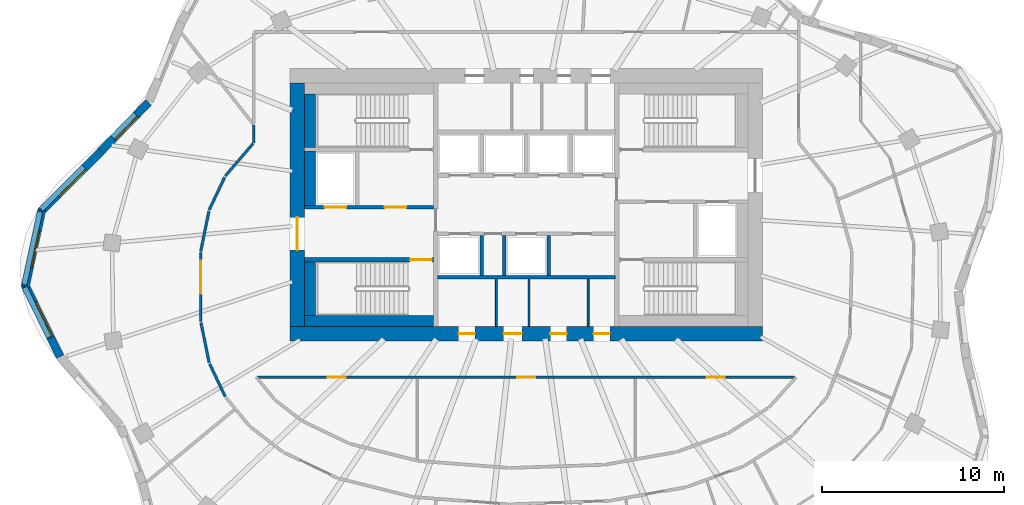
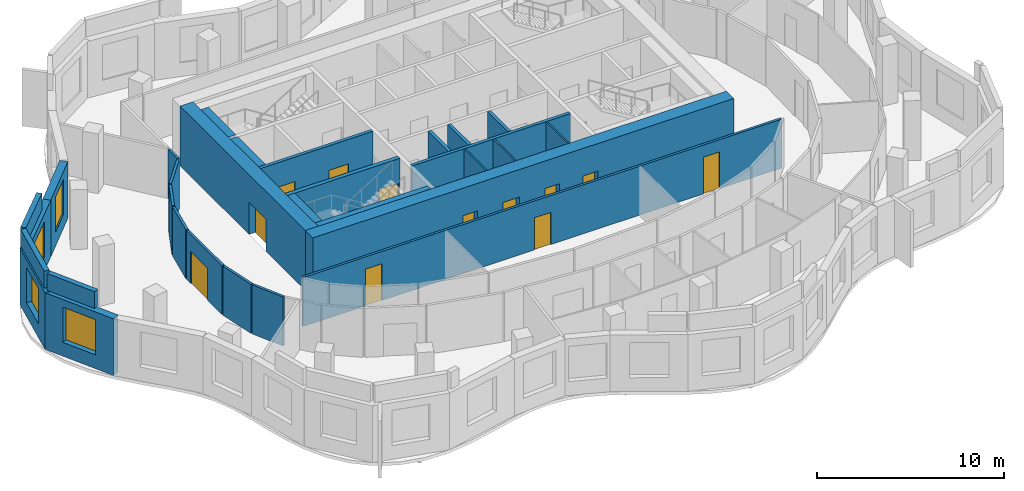
# One storey, part 4 of 10: 30 walls, 12 doors, 4 windows, 16 openings.
"""IFC4 building model written with IfcOpenShell, lengths in metres."""

from ifc_helpers import new_model, si_unit, direction, frame, frame_2d, origin, place, context, subcontext, project, spatial, rectangle, extrude, material, layer, layer_set, type_object, element, fill, save


model = new_model("IFC4")

# Units and contexts
model_context = context("Model", 3, precision=1e-05, world=origin(), true_north=direction((0.0, 1.0)))
body_context = subcontext(model_context, "Body", "Model", "MODEL_VIEW")
ifc_project = project(units=[si_unit("LENGTHUNIT", "METRE"), si_unit("AREAUNIT", "SQUARE_METRE"), si_unit("VOLUMEUNIT", "CUBIC_METRE"), si_unit("PLANEANGLEUNIT", "RADIAN"), si_unit("MASSUNIT", "GRAM", prefix="KILO")], contexts=[model_context])

# Site, building, storey
site_placement = place(None, origin())
site = spatial("IfcSite", under=ifc_project, at=site_placement, CompositionType="ELEMENT")
building_placement = place(site_placement, origin())
building = spatial("IfcBuilding", under=site, at=building_placement, Name="Rubra Terraces Tower", CompositionType="ELEMENT")
storey_placement = place(building_placement, frame((0.0, 0.0, 292.199951171875)))
storey = spatial("IfcBuildingStorey", under=building, at=storey_placement, Name="L72", CompositionType="ELEMENT", Elevation=292.199951171875)

# Wall, opening, window
ifc_material_1 = material(Name="Brick masonry red-brown", Category="masonry")
ifc_layer_1 = layer(ifc_material_1, 0.449951171875)
ifc_layer_set_1 = layer_set([ifc_layer_1], Name="Brick masonry red-brown")
wall_type_1 = type_object("IfcWallType", Name="Brick facade wall 450", PredefinedType="SOLIDWALL", material=ifc_layer_set_1)
wall_1_placement = place(storey_placement, frame((-20.795654296875, 10.1240234375, 0.0), z_axis=(0.0, 0.0, 1.0), x_axis=(-0.697121527554, -0.716952980203, 0.0)))
wall_1 = element("IfcWall", 1, at=wall_1_placement, inside=storey, type_object=wall_type_1, Name="Facade wall L72 bay 18", PredefinedType="SOLIDWALL", context=body_context, shape_type="SweptSolid", body=[
    extrude(rectangle(XDim=3.7177734375, YDim=0.449951171875, at=frame_2d((1.85888671875, 0.0))), origin(), (0.0, 0.0, 1.0), 3.699951171875),
])
opening_1_placement = place(wall_1_placement, frame((0.958984375, 0.0, 0.89990234375)))
opening_1 = element("IfcOpeningElement", 2, at=opening_1_placement, cuts=wall_1, Name="Opening W6B", PredefinedType="OPENING", context=body_context, shape_type="SweptSolid", body=[
    extrude(rectangle(XDim=1.800048828125, YDim=2.300048828125, at=frame_2d((0.89990234375, 1.14990234375))), frame((0.0, 0.23486328125, 0.0), z_axis=(0.0, -1.0, 0.0), x_axis=(1.0, 0.0, 0.0)), (0.0, 0.0, 1.0), 0.469970703125),
])
ifc_material_2 = material(Name="Clear glass in aluminium frame", Category="aluminium")
window_type_1 = type_object("IfcWindowType", Name="Fixed deep-set window at wind fin tall storey 1800 x 2300", PartitioningType="SINGLE_PANEL", PredefinedType="WINDOW", material=ifc_material_2)
window_1_placement = place(opening_1_placement, origin())
window_1 = element("IfcWindow", 3, at=window_1_placement, inside=storey, type_object=window_type_1, Name="Window L72 bay 18", OverallHeight=2.300048828125, OverallWidth=1.800048828125, PartitioningType="SINGLE_PANEL", PredefinedType="WINDOW", context=body_context, shape_type="SweptSolid", body=[
    extrude(rectangle(XDim=1.800048828125, YDim=2.300048828125, at=frame_2d((0.89990234375, 1.14990234375))), frame((0.0, 0.135009765625, 0.0), z_axis=(0.0, -1.0, 0.0), x_axis=(1.0, 0.0, 0.0)), (0.0, 0.0, 1.0), 0.06005859375),
])
fill(opening_1, window_1)

wall_2_placement = place(storey_placement, frame((-23.389892578125, 7.45556640625, 0.0), z_axis=(0.0, 0.0, 1.0), x_axis=(-0.705349231702, -0.708859973011, 0.0)))
wall_2 = element("IfcWall", 4, at=wall_2_placement, inside=storey, type_object=wall_type_1, Name="Facade wall L72 bay 19", PredefinedType="SOLIDWALL", context=body_context, shape_type="SweptSolid", body=[
    extrude(rectangle(XDim=4.728759765625, YDim=0.449951171875, at=frame_2d((2.3642578125, 0.0))), origin(), (0.0, 0.0, 1.0), 3.699951171875),
])
opening_2_placement = place(wall_2_placement, frame((1.314453125, 0.0, 0.89990234375)))
opening_2 = element("IfcOpeningElement", 5, at=opening_2_placement, cuts=wall_2, Name="Opening W1B", PredefinedType="OPENING", context=body_context, shape_type="SweptSolid", body=[
    extrude(rectangle(XDim=2.10009765625, YDim=2.300048828125, at=frame_2d((1.050048828125, 1.14990234375))), frame((0.0, 0.23486328125, 0.0), z_axis=(0.0, -1.0, 0.0), x_axis=(1.0, 0.0, 0.0)), (0.0, 0.0, 1.0), 0.469970703125),
])
window_type_2 = type_object("IfcWindowType", Name="Fixed deep-set window tall storey 2100 x 2300", PartitioningType="SINGLE_PANEL", PredefinedType="WINDOW", material=ifc_material_2)
window_2_placement = place(opening_2_placement, origin())
window_2 = element("IfcWindow", 6, at=window_2_placement, inside=storey, type_object=window_type_2, Name="Window L72 bay 19", OverallHeight=2.300048828125, OverallWidth=2.10009765625, PartitioningType="SINGLE_PANEL", PredefinedType="WINDOW", context=body_context, shape_type="SweptSolid", body=[
    extrude(rectangle(XDim=2.10009765625, YDim=2.300048828125, at=frame_2d((1.050048828125, 1.14990234375))), frame((0.0, 0.135009765625, 0.0), z_axis=(0.0, -1.0, 0.0), x_axis=(1.0, 0.0, 0.0)), (0.0, 0.0, 1.0), 0.06005859375),
])
fill(opening_2, window_2)

wall_3_placement = place(storey_placement, frame((-26.668212890625, 4.21142578125, 0.0), z_axis=(0.0, 0.0, 1.0), x_axis=(-0.210910311825, -0.977505417052, 0.0)))
wall_3 = element("IfcWall", 7, at=wall_3_placement, inside=storey, type_object=wall_type_1, Name="Facade wall L72 bay 20", PredefinedType="SOLIDWALL", context=body_context, shape_type="SweptSolid", body=[
    extrude(rectangle(XDim=4.35693359375, YDim=0.449951171875, at=frame_2d((2.178466796875, 0.0))), origin(), (0.0, 0.0, 1.0), 3.699951171875),
])
opening_3_placement = place(wall_3_placement, frame((1.12841796875, 0.0, 0.89990234375)))
opening_3 = element("IfcOpeningElement", 8, at=opening_3_placement, cuts=wall_3, Name="Opening W1B", PredefinedType="OPENING", context=body_context, shape_type="SweptSolid", body=[
    extrude(rectangle(XDim=2.10009765625, YDim=2.300048828125, at=frame_2d((1.050048828125, 1.14990234375))), frame((0.0, 0.23486328125, 0.0), z_axis=(0.0, -1.0, 0.0), x_axis=(1.0, 0.0, 0.0)), (0.0, 0.0, 1.0), 0.469970703125),
])
window_3_placement = place(opening_3_placement, origin())
window_3 = element("IfcWindow", 9, at=window_3_placement, inside=storey, type_object=window_type_2, Name="Window L72 bay 20", OverallHeight=2.300048828125, OverallWidth=2.10009765625, PartitioningType="SINGLE_PANEL", PredefinedType="WINDOW", context=body_context, shape_type="SweptSolid", body=[
    extrude(rectangle(XDim=2.10009765625, YDim=2.300048828125, at=frame_2d((1.050048828125, 1.14990234375))), frame((0.0, 0.135009765625, 0.0), z_axis=(0.0, -1.0, 0.0), x_axis=(1.0, 0.0, 0.0)), (0.0, 0.0, 1.0), 0.06005859375),
])
fill(opening_3, window_3)

wall_4_placement = place(storey_placement, frame((-27.60498046875, 0.09912109375, 0.0), z_axis=(0.0, 0.0, 1.0), x_axis=(0.440876526139, -0.897567762734, 0.0)))
wall_4 = element("IfcWall", 10, at=wall_4_placement, inside=storey, type_object=wall_type_1, Name="Facade wall L72 bay 21", PredefinedType="SOLIDWALL", context=body_context, shape_type="SweptSolid", body=[
    extrude(rectangle(XDim=4.4150390625, YDim=0.449951171875, at=frame_2d((2.20751953125, 0.0))), origin(), (0.0, 0.0, 1.0), 3.699951171875),
])
opening_4_placement = place(wall_4_placement, frame((1.15771484375, 0.0, 0.89990234375)))
opening_4 = element("IfcOpeningElement", 11, at=opening_4_placement, cuts=wall_4, Name="Opening W1B", PredefinedType="OPENING", context=body_context, shape_type="SweptSolid", body=[
    extrude(rectangle(XDim=2.10009765625, YDim=2.300048828125, at=frame_2d((1.050048828125, 1.14990234375))), frame((0.0, 0.23486328125, 0.0), z_axis=(0.0, -1.0, 0.0), x_axis=(1.0, 0.0, 0.0)), (0.0, 0.0, 1.0), 0.469970703125),
])
window_4_placement = place(opening_4_placement, origin())
window_4 = element("IfcWindow", 12, at=window_4_placement, inside=storey, type_object=window_type_2, Name="Window L72 bay 21", OverallHeight=2.300048828125, OverallWidth=2.10009765625, PartitioningType="SINGLE_PANEL", PredefinedType="WINDOW", context=body_context, shape_type="SweptSolid", body=[
    extrude(rectangle(XDim=2.10009765625, YDim=2.300048828125, at=frame_2d((1.050048828125, 1.14990234375))), frame((0.0, 0.135009765625, 0.0), z_axis=(0.0, -1.0, 0.0), x_axis=(1.0, 0.0, 0.0)), (0.0, 0.0, 1.0), 0.06005859375),
])
fill(opening_4, window_4)

# Walls
ifc_layer_2 = layer(ifc_material_1, 0.300048828125)
ifc_layer_set_2 = layer_set([ifc_layer_2], Name="Brick masonry red-brown")
wall_type_2 = type_object("IfcWallType", Name="Brick parapet 300", PredefinedType="PARAPET", material=ifc_layer_set_2)
wall_5_placement = place(storey_placement, frame((-24.355224609375, 6.591796875, 3.900146484375), z_axis=(0.0, 0.0, 1.0), x_axis=(-0.705340861985, -0.708868301178, 0.0)))
element("IfcWall", 13, at=wall_5_placement, inside=storey, type_object=wall_type_2, Name="Parapet L72 bay 19", PredefinedType="PARAPET", context=body_context, shape_type="SweptSolid", body=[
    extrude(rectangle(XDim=3.322265625, YDim=0.300048828125, at=frame_2d((1.6611328125, 0.0))), origin(), (0.0, 0.0, 1.0), 1.099853515625),
])
wall_6_placement = place(storey_placement, frame((-26.76611328125, 4.112060546875, 3.900146484375), z_axis=(0.0, 0.0, 1.0), x_axis=(-0.210962679137, -0.977494116612, 0.0)))
element("IfcWall", 14, at=wall_6_placement, inside=storey, type_object=wall_type_2, Name="Parapet L72 bay 20", PredefinedType="PARAPET", context=body_context, shape_type="SweptSolid", body=[
    extrude(rectangle(XDim=4.104736328125, YDim=0.300048828125, at=frame_2d((2.05224609375, 0.0))), origin(), (0.0, 0.0, 1.0), 1.099853515625),
])
wall_7_placement = place(storey_placement, frame((-27.61328125, -0.054443359375, 3.900146484375), z_axis=(0.0, 0.0, 1.0), x_axis=(0.440943372438, -0.897534925394, 0.0)))
element("IfcWall", 15, at=wall_7_placement, inside=storey, type_object=wall_type_2, Name="Parapet L72 bay 21", PredefinedType="PARAPET", context=body_context, shape_type="SweptSolid", body=[
    extrude(rectangle(XDim=3.057861328125, YDim=0.300048828125, at=frame_2d((1.52880859375, 0.0))), origin(), (0.0, 0.0, 1.0), 1.099853515625),
])

# Wall, openings, doors
ifc_material_3 = material(Name="Concrete C50", Category="concrete")
ifc_layer_3 = layer(ifc_material_3, 0.800048828125)
ifc_layer_set_3 = layer_set([ifc_layer_3], Name="Concrete C50")
wall_type_3 = type_object("IfcWallType", Name="CORE WALL 800 C50", PredefinedType="SHEAR", material=ifc_layer_set_3)
wall_8_placement = place(storey_placement, frame((-13.0, -2.60009765625, 0.0), z_axis=(0.0, 0.0, 1.0), x_axis=(1.0, 0.0, 0.0)))
wall_8 = element("IfcWall", 16, at=wall_8_placement, inside=storey, type_object=wall_type_3, Name="CORE WALL S L72", PredefinedType="SHEAR", context=body_context, shape_type="SweptSolid", body=[
    extrude(rectangle(XDim=26.0, YDim=0.800048828125, at=frame_2d((13.0, 0.0))), origin(), (0.0, 0.0, 1.0), 3.900146484375),
])
opening_5_placement = place(wall_8_placement, frame((9.27490234375, 0.0, 0.0)))
opening_5 = element("IfcOpeningElement", 17, at=opening_5_placement, cuts=wall_8, Name="Opening L72.C21", PredefinedType="OPENING", context=body_context, shape_type="SweptSolid", body=[
    extrude(rectangle(XDim=0.89990234375, YDim=2.10009765625, at=frame_2d((0.449951171875, 1.050048828125))), frame((0.0, 0.409912109375, 0.0), z_axis=(0.0, -1.0, 0.0), x_axis=(1.0, 0.0, 0.0)), (0.0, 0.0, 1.0), 0.820068359375),
])
opening_6_placement = place(wall_8_placement, frame((11.75, 0.0, 0.0)))
opening_6 = element("IfcOpeningElement", 18, at=opening_6_placement, cuts=wall_8, Name="Opening L72.C22", PredefinedType="OPENING", context=body_context, shape_type="SweptSolid", body=[
    extrude(rectangle(XDim=1.0, YDim=2.10009765625, at=frame_2d((0.5, 1.050048828125))), frame((0.0, 0.409912109375, 0.0), z_axis=(0.0, -1.0, 0.0), x_axis=(1.0, 0.0, 0.0)), (0.0, 0.0, 1.0), 0.820068359375),
])
opening_7_placement = place(wall_8_placement, frame((14.324951171875, 0.0, 0.0)))
opening_7 = element("IfcOpeningElement", 19, at=opening_7_placement, cuts=wall_8, Name="Opening L72.C23", PredefinedType="OPENING", context=body_context, shape_type="SweptSolid", body=[
    extrude(rectangle(XDim=0.89990234375, YDim=2.10009765625, at=frame_2d((0.449951171875, 1.050048828125))), frame((0.0, 0.409912109375, 0.0), z_axis=(0.0, -1.0, 0.0), x_axis=(1.0, 0.0, 0.0)), (0.0, 0.0, 1.0), 0.820068359375),
])
opening_8_placement = place(wall_8_placement, frame((16.699951171875, 0.0, 0.0)))
opening_8 = element("IfcOpeningElement", 20, at=opening_8_placement, cuts=wall_8, Name="Opening L72.C24", PredefinedType="OPENING", context=body_context, shape_type="SweptSolid", body=[
    extrude(rectangle(XDim=0.89990234375, YDim=2.10009765625, at=frame_2d((0.449951171875, 1.050048828125))), frame((0.0, 0.409912109375, 0.0), z_axis=(0.0, -1.0, 0.0), x_axis=(1.0, 0.0, 0.0)), (0.0, 0.0, 1.0), 0.820068359375),
])
ifc_material_4 = material(Name="Painted steel", Category="steel")
door_type_1 = type_object("IfcDoorType", Name="Fire door 1000x2100 single", OperationType="NOTDEFINED", PredefinedType="DOOR", material=ifc_material_4)
door_1_placement = place(opening_6_placement, origin())
door_1 = element("IfcDoor", 21, at=door_1_placement, inside=storey, type_object=door_type_1, Name="Accessible WC door", OperationType="SINGLE_SWING_RIGHT", OverallHeight=2.10009765625, OverallWidth=1.0, PredefinedType="DOOR", context=body_context, shape_type="SweptSolid", body=[
    extrude(rectangle(XDim=1.0, YDim=2.10009765625, at=frame_2d((0.5, 1.050048828125))), frame((0.0, 0.02490234375, 0.0), z_axis=(0.0, -1.0, 0.0), x_axis=(1.0, 0.0, 0.0)), (0.0, 0.0, 1.0), 0.050048828125),
])
fill(opening_6, door_1)
door_type_2 = type_object("IfcDoorType", Name="Fire door 900x2100 single", OperationType="NOTDEFINED", PredefinedType="DOOR", material=ifc_material_4)
door_2_placement = place(opening_5_placement, origin())
door_2 = element("IfcDoor", 22, at=door_2_placement, inside=storey, type_object=door_type_2, Name="Gents WC door", OperationType="SINGLE_SWING_LEFT", OverallHeight=2.10009765625, OverallWidth=0.89990234375, PredefinedType="DOOR", context=body_context, shape_type="SweptSolid", body=[
    extrude(rectangle(XDim=0.89990234375, YDim=2.10009765625, at=frame_2d((0.449951171875, 1.050048828125))), frame((0.0, 0.02490234375, 0.0), z_axis=(0.0, -1.0, 0.0), x_axis=(1.0, 0.0, 0.0)), (0.0, 0.0, 1.0), 0.050048828125),
])
fill(opening_5, door_2)
door_3_placement = place(opening_7_placement, origin())
door_3 = element("IfcDoor", 23, at=door_3_placement, inside=storey, type_object=door_type_2, Name="Ladies WC door", OperationType="SINGLE_SWING_LEFT", OverallHeight=2.10009765625, OverallWidth=0.89990234375, PredefinedType="DOOR", context=body_context, shape_type="SweptSolid", body=[
    extrude(rectangle(XDim=0.89990234375, YDim=2.10009765625, at=frame_2d((0.449951171875, 1.050048828125))), frame((0.0, 0.02490234375, 0.0), z_axis=(0.0, -1.0, 0.0), x_axis=(1.0, 0.0, 0.0)), (0.0, 0.0, 1.0), 0.050048828125),
])
fill(opening_7, door_3)
door_4_placement = place(opening_8_placement, origin())
door_4 = element("IfcDoor", 24, at=door_4_placement, inside=storey, type_object=door_type_2, Name="Cleaner's store door", OperationType="SINGLE_SWING_RIGHT", OverallHeight=2.10009765625, OverallWidth=0.89990234375, PredefinedType="DOOR", context=body_context, shape_type="SweptSolid", body=[
    extrude(rectangle(XDim=0.89990234375, YDim=2.10009765625, at=frame_2d((0.449951171875, 1.050048828125))), frame((0.0, 0.02490234375, 0.0), z_axis=(0.0, -1.0, 0.0), x_axis=(1.0, 0.0, 0.0)), (0.0, 0.0, 1.0), 0.050048828125),
])
fill(opening_8, door_4)

# Wall, opening, door
wall_9_placement = place(storey_placement, frame((-12.60009765625, -2.199951171875, 0.0), z_axis=(0.0, 0.0, 1.0), x_axis=(0.0, 1.0, 0.0)))
wall_9 = element("IfcWall", 25, at=wall_9_placement, inside=storey, type_object=wall_type_3, Name="CORE WALL W L72", PredefinedType="SHEAR", context=body_context, shape_type="SweptSolid", body=[
    extrude(rectangle(XDim=13.39990234375, YDim=0.800048828125, at=frame_2d((6.699951171875, 0.0))), origin(), (0.0, 0.0, 1.0), 3.900146484375),
])
opening_9_placement = place(wall_9_placement, frame((4.199951171875, 0.0, 0.0)))
opening_9 = element("IfcOpeningElement", 26, at=opening_9_placement, cuts=wall_9, Name="Opening L72.C01", PredefinedType="OPENING", context=body_context, shape_type="SweptSolid", body=[
    extrude(rectangle(XDim=1.800048828125, YDim=2.10009765625, at=frame_2d((0.89990234375, 1.050048828125))), frame((0.0, 0.409912109375, 0.0), z_axis=(0.0, -1.0, 0.0), x_axis=(1.0, 0.0, 0.0)), (0.0, 0.0, 1.0), 0.820068359375),
])
door_type_3 = type_object("IfcDoorType", Name="Fire door 1800x2100 double", OperationType="NOTDEFINED", PredefinedType="DOOR", material=ifc_material_4)
door_5_placement = place(opening_9_placement, origin())
door_5 = element("IfcDoor", 27, at=door_5_placement, inside=storey, type_object=door_type_3, Name="Core entrance door FF1", OperationType="DOUBLE_DOOR_SINGLE_SWING", OverallHeight=2.10009765625, OverallWidth=1.800048828125, PredefinedType="DOOR", context=body_context, shape_type="SweptSolid", body=[
    extrude(rectangle(XDim=1.800048828125, YDim=2.10009765625, at=frame_2d((0.89990234375, 1.050048828125))), frame((0.0, 0.02490234375, 0.0), z_axis=(0.0, -1.0, 0.0), x_axis=(1.0, 0.0, 0.0)), (0.0, 0.0, 1.0), 0.050048828125),
])
fill(opening_9, door_5)

# Walls
ifc_material_5 = material(Name="Plasterboard on steel stud, mineral wool infill", Category="steel")
ifc_layer_4 = layer(ifc_material_5, 0.14990234375)
ifc_layer_set_4 = layer_set([ifc_layer_4], Name="Plasterboard on steel stud, mineral wool infill")
wall_type_4 = type_object("IfcWallType", Name="CORRIDOR PARTITION 150", PredefinedType="PARTITIONING", material=ifc_layer_set_4)
wall_10_placement = place(storey_placement, frame((-15.0, 8.892822265625, 0.0), z_axis=(0.0, 0.0, 1.0), x_axis=(0.0, -1.0, 0.0)))
element("IfcWall", 28, at=wall_10_placement, inside=storey, type_object=wall_type_4, Name="PARTITION", PredefinedType="PARTITIONING", context=body_context, shape_type="SweptSolid", body=[
    extrude(rectangle(XDim=0.988525390625, YDim=0.14990234375, at=frame_2d((0.494140625, 0.0))), origin(), (0.0, 0.0, 1.0), 3.197998046875),
])
wall_11_placement = place(storey_placement, frame((-15.048828125, 7.847412109375, 0.0), z_axis=(0.0, 0.0, 1.0), x_axis=(-0.651264357687, -0.758850931611, 0.0)))
element("IfcWall", 29, at=wall_11_placement, inside=storey, type_object=wall_type_4, Name="PARTITION", PredefinedType="PARTITIONING", context=body_context, shape_type="SweptSolid", body=[
    extrude(rectangle(XDim=2.33740234375, YDim=0.14990234375, at=frame_2d((1.168701171875, 0.0))), origin(), (0.0, 0.0, 1.0), 3.197998046875),
])
wall_12_placement = place(storey_placement, frame((-16.603271484375, 6.006103515625, 0.0), z_axis=(0.0, 0.0, 1.0), x_axis=(-0.427839289523, -0.903854823708, 0.0)))
element("IfcWall", 30, at=wall_12_placement, inside=storey, type_object=wall_type_4, Name="PARTITION", PredefinedType="PARTITIONING", context=body_context, shape_type="SweptSolid", body=[
    extrude(rectangle(XDim=1.99658203125, YDim=0.14990234375, at=frame_2d((0.998291015625, 0.0))), origin(), (0.0, 0.0, 1.0), 3.197998046875),
])
wall_13_placement = place(storey_placement, frame((-17.472412109375, 4.1279296875, 0.0), z_axis=(0.0, 0.0, 1.0), x_axis=(-0.199502025364, -0.979897413955, 0.0)))
element("IfcWall", 31, at=wall_13_placement, inside=storey, type_object=wall_type_4, Name="PARTITION", PredefinedType="PARTITIONING", context=body_context, shape_type="SweptSolid", body=[
    extrude(rectangle(XDim=2.24560546875, YDim=0.14990234375, at=frame_2d((1.122802734375, 0.0))), origin(), (0.0, 0.0, 1.0), 3.197998046875),
])

# Wall, opening, door
wall_14_placement = place(storey_placement, frame((-17.92041015625, 1.8525390625, 0.0), z_axis=(0.0, 0.0, 1.0), x_axis=(0.0, -1.0, 0.0)))
wall_14 = element("IfcWall", 32, at=wall_14_placement, inside=storey, type_object=wall_type_4, Name="PARTITION", PredefinedType="PARTITIONING", context=body_context, shape_type="SweptSolid", body=[
    extrude(rectangle(XDim=3.780029296875, YDim=0.14990234375, at=frame_2d((1.89013671875, 0.0))), origin(), (0.0, 0.0, 1.0), 3.197998046875),
])
opening_10_placement = place(wall_14_placement, frame((0.449951171875, 0.0, 0.0)))
opening_10 = element("IfcOpeningElement", 33, at=opening_10_placement, cuts=wall_14, Name="Opening 72-101", PredefinedType="OPENING", context=body_context, shape_type="SweptSolid", body=[
    extrude(rectangle(XDim=1.800048828125, YDim=2.10009765625, at=frame_2d((0.89990234375, 1.050048828125))), frame((0.0, 0.0849609375, 0.0), z_axis=(0.0, -1.0, 0.0), x_axis=(1.0, 0.0, 0.0)), (0.0, 0.0, 1.0), 0.169921875),
])
ifc_material_6 = material(Name="Painted timber door leaf, double", Category="wood")
door_type_4 = type_object("IfcDoorType", Name="ROOM DOUBLE DOOR 1800 X 2100", OperationType="DOUBLE_DOOR_SINGLE_SWING", PredefinedType="DOOR", material=ifc_material_6)
door_6_placement = place(opening_10_placement, origin())
door_6 = element("IfcDoor", 34, at=door_6_placement, inside=storey, type_object=door_type_4, Name="DOOR 72-101", OperationType="DOUBLE_DOOR_SINGLE_SWING", OverallHeight=2.10009765625, OverallWidth=1.800048828125, PredefinedType="DOOR", context=body_context, shape_type="SweptSolid", body=[
    extrude(rectangle(XDim=1.800048828125, YDim=2.10009765625, at=frame_2d((0.89990234375, 1.050048828125))), frame((0.0, 0.02490234375, 0.0), z_axis=(0.0, -1.0, 0.0), x_axis=(1.0, 0.0, 0.0)), (0.0, 0.0, 1.0), 0.050048828125),
])
fill(opening_10, door_6)

# Walls
wall_15_placement = place(storey_placement, frame((-17.905517578125, -2.0009765625, 0.0), z_axis=(0.0, 0.0, 1.0), x_axis=(0.199502025364, -0.979897413955, 0.0)))
element("IfcWall", 35, at=wall_15_placement, inside=storey, type_object=wall_type_4, Name="PARTITION", PredefinedType="PARTITIONING", context=body_context, shape_type="SweptSolid", body=[
    extrude(rectangle(XDim=2.24560546875, YDim=0.14990234375, at=frame_2d((1.122802734375, 0.0))), origin(), (0.0, 0.0, 1.0), 3.197998046875),
])
wall_16_placement = place(storey_placement, frame((-17.42529296875, -4.269287109375, 0.0), z_axis=(0.0, 0.0, 1.0), x_axis=(0.427886578366, -0.90383243804, 0.0)))
element("IfcWall", 36, at=wall_16_placement, inside=storey, type_object=wall_type_4, Name="PARTITION", PredefinedType="PARTITIONING", context=body_context, shape_type="SweptSolid", body=[
    extrude(rectangle(XDim=1.996337890625, YDim=0.14990234375, at=frame_2d((0.998046875, 0.0))), origin(), (0.0, 0.0, 1.0), 3.197998046875),
])

# Wall, openings, doors
wall_17_placement = place(storey_placement, frame((-14.7890625, -5.0, 0.0), z_axis=(0.0, 0.0, 1.0), x_axis=(1.0, 0.0, 0.0)))
wall_17 = element("IfcWall", 37, at=wall_17_placement, inside=storey, type_object=wall_type_4, Name="PARTITION", PredefinedType="PARTITIONING", context=body_context, shape_type="SweptSolid", body=[
    extrude(rectangle(XDim=29.56201171875, YDim=0.14990234375, at=frame_2d((14.781005859375, 0.0))), origin(), (0.0, 0.0, 1.0), 3.197998046875),
])
opening_11_placement = place(wall_17_placement, frame((3.85693359375, 0.0, 0.0)))
opening_11 = element("IfcOpeningElement", 38, at=opening_11_placement, cuts=wall_17, Name="Opening 72-113", PredefinedType="OPENING", context=body_context, shape_type="SweptSolid", body=[
    extrude(rectangle(XDim=1.0, YDim=2.39990234375, at=frame_2d((0.5, 1.199951171875))), frame((0.0, 0.0849609375, 0.0), z_axis=(0.0, -1.0, 0.0), x_axis=(1.0, 0.0, 0.0)), (0.0, 0.0, 1.0), 0.169921875),
])
opening_12_placement = place(wall_17_placement, frame((14.2890625, 0.0, 0.0)))
opening_12 = element("IfcOpeningElement", 39, at=opening_12_placement, cuts=wall_17, Name="Opening 72-114", PredefinedType="OPENING", context=body_context, shape_type="SweptSolid", body=[
    extrude(rectangle(XDim=1.0, YDim=2.10009765625, at=frame_2d((0.5, 1.050048828125))), frame((0.0, 0.0849609375, 0.0), z_axis=(0.0, -1.0, 0.0), x_axis=(1.0, 0.0, 0.0)), (0.0, 0.0, 1.0), 0.169921875),
])
opening_13_placement = place(wall_17_placement, frame((24.712890625, 0.0, 0.0)))
opening_13 = element("IfcOpeningElement", 40, at=opening_13_placement, cuts=wall_17, Name="Opening 72-115", PredefinedType="OPENING", context=body_context, shape_type="SweptSolid", body=[
    extrude(rectangle(XDim=1.0, YDim=2.39990234375, at=frame_2d((0.5, 1.199951171875))), frame((0.0, 0.0849609375, 0.0), z_axis=(0.0, -1.0, 0.0), x_axis=(1.0, 0.0, 0.0)), (0.0, 0.0, 1.0), 0.169921875),
])
ifc_material_7 = material(Name="Glazed aluminium meeting door leaf", Category="aluminium")
door_type_5 = type_object("IfcDoorType", Name="MEETING ROOM GLAZED DOOR 1000 X 2400", OperationType="SINGLE_SWING_LEFT", PredefinedType="DOOR", material=ifc_material_7)
door_7_placement = place(opening_11_placement, origin())
door_7 = element("IfcDoor", 41, at=door_7_placement, inside=storey, type_object=door_type_5, Name="DOOR 72-113", OperationType="SINGLE_SWING_RIGHT", OverallHeight=2.39990234375, OverallWidth=1.0, PredefinedType="DOOR", context=body_context, shape_type="SweptSolid", body=[
    extrude(rectangle(XDim=1.0, YDim=2.39990234375, at=frame_2d((0.5, 1.199951171875))), frame((0.0, 0.02490234375, 0.0), z_axis=(0.0, -1.0, 0.0), x_axis=(1.0, 0.0, 0.0)), (0.0, 0.0, 1.0), 0.050048828125),
])
fill(opening_11, door_7)
door_8_placement = place(opening_13_placement, origin())
door_8 = element("IfcDoor", 42, at=door_8_placement, inside=storey, type_object=door_type_5, Name="DOOR 72-115", OperationType="SINGLE_SWING_RIGHT", OverallHeight=2.39990234375, OverallWidth=1.0, PredefinedType="DOOR", context=body_context, shape_type="SweptSolid", body=[
    extrude(rectangle(XDim=1.0, YDim=2.39990234375, at=frame_2d((0.5, 1.199951171875))), frame((0.0, 0.02490234375, 0.0), z_axis=(0.0, -1.0, 0.0), x_axis=(1.0, 0.0, 0.0)), (0.0, 0.0, 1.0), 0.050048828125),
])
fill(opening_13, door_8)
ifc_material_8 = material(Name="Painted timber door leaf", Category="wood")
door_type_6 = type_object("IfcDoorType", Name="ROOM DOOR 1000 X 2100", OperationType="SINGLE_SWING_LEFT", PredefinedType="DOOR", material=ifc_material_8)
door_9_placement = place(opening_12_placement, origin())
door_9 = element("IfcDoor", 43, at=door_9_placement, inside=storey, type_object=door_type_6, Name="DOOR 72-114", OperationType="SINGLE_SWING_RIGHT", OverallHeight=2.10009765625, OverallWidth=1.0, PredefinedType="DOOR", context=body_context, shape_type="SweptSolid", body=[
    extrude(rectangle(XDim=1.0, YDim=2.10009765625, at=frame_2d((0.5, 1.050048828125))), frame((0.0, 0.02490234375, 0.0), z_axis=(0.0, -1.0, 0.0), x_axis=(1.0, 0.0, 0.0)), (0.0, 0.0, 1.0), 0.050048828125),
])
fill(opening_12, door_9)

# Walls
ifc_material_9 = material(Name="Concrete C40", Category="concrete")
ifc_layer_5 = layer(ifc_material_9, 0.60009765625)
ifc_layer_set_5 = layer_set([ifc_layer_5], Name="Concrete C40")
wall_type_5 = type_object("IfcWallType", Name="Core lining wall 600 concrete", PredefinedType="SOLIDWALL", material=ifc_layer_set_5)
wall_18_placement = place(storey_placement, frame((-12.199951171875, -1.89990234375, 0.0), z_axis=(0.0, 0.0, 1.0), x_axis=(1.0, 0.0, 0.0)))
element("IfcWall", 44, at=wall_18_placement, inside=storey, type_object=wall_type_5, Name="CORE LINING WALL L72", PredefinedType="SOLIDWALL", context=body_context, shape_type="SweptSolid", body=[
    extrude(rectangle(XDim=7.099853515625, YDim=0.60009765625, at=frame_2d((3.5498046875, 0.0))), origin(), (0.0, 0.0, 1.0), 3.699951171875),
])
wall_19_placement = place(storey_placement, frame((-11.89990234375, -1.60009765625, 0.0), z_axis=(0.0, 0.0, 1.0), x_axis=(0.0, 1.0, 0.0)))
element("IfcWall", 45, at=wall_19_placement, inside=storey, type_object=wall_type_5, Name="CORE LINING WALL L72", PredefinedType="SOLIDWALL", context=body_context, shape_type="SweptSolid", body=[
    extrude(rectangle(XDim=2.9501953125, YDim=0.60009765625, at=frame_2d((1.47509765625, 0.0))), origin(), (0.0, 0.0, 1.0), 3.699951171875),
])
wall_20_placement = place(storey_placement, frame((-11.89990234375, 4.449951171875, 0.0), z_axis=(0.0, 0.0, 1.0), x_axis=(0.0, 1.0, 0.0)))
element("IfcWall", 46, at=wall_20_placement, inside=storey, type_object=wall_type_5, Name="CORE LINING WALL L72", PredefinedType="SOLIDWALL", context=body_context, shape_type="SweptSolid", body=[
    extrude(rectangle(XDim=3.0, YDim=0.60009765625, at=frame_2d((1.5, 0.0))), origin(), (0.0, 0.0, 1.0), 3.699951171875),
])
wall_21_placement = place(storey_placement, frame((-11.89990234375, 7.64990234375, 0.0), z_axis=(0.0, 0.0, 1.0), x_axis=(0.0, 1.0, 0.0)))
element("IfcWall", 47, at=wall_21_placement, inside=storey, type_object=wall_type_5, Name="CORE LINING WALL L72", PredefinedType="SOLIDWALL", context=body_context, shape_type="SweptSolid", body=[
    extrude(rectangle(XDim=2.9501953125, YDim=0.60009765625, at=frame_2d((1.47509765625, 0.0))), origin(), (0.0, 0.0, 1.0), 3.699951171875),
])

# Wall, openings, doors
ifc_material_10 = material(Name="Concrete C30", Category="concrete")
ifc_layer_6 = layer(ifc_material_10, 0.199951171875)
ifc_layer_set_6 = layer_set([ifc_layer_6], Name="Concrete C30")
wall_type_6 = type_object("IfcWallType", Name="Core wall 200 concrete", PredefinedType="SOLIDWALL", material=ifc_layer_set_6)
wall_22_placement = place(storey_placement, frame((-12.199951171875, 4.35009765625, 0.0), z_axis=(0.0, 0.0, 1.0), x_axis=(1.0, 0.0, 0.0)))
wall_22 = element("IfcWall", 48, at=wall_22_placement, inside=storey, type_object=wall_type_6, Name="STAIR WALL L72", PredefinedType="SOLIDWALL", context=body_context, shape_type="SweptSolid", body=[
    extrude(rectangle(XDim=7.099853515625, YDim=0.199951171875, at=frame_2d((3.5498046875, 0.0))), origin(), (0.0, 0.0, 1.0), 3.699951171875),
])
opening_14_placement = place(wall_22_placement, frame((4.39990234375, 0.0, 0.0)))
opening_14 = element("IfcOpeningElement", 49, at=opening_14_placement, cuts=wall_22, Name="Opening L72.C05", PredefinedType="OPENING", context=body_context, shape_type="SweptSolid", body=[
    extrude(rectangle(XDim=1.199951171875, YDim=2.10009765625, at=frame_2d((0.60009765625, 1.050048828125))), frame((0.0, 0.10986328125, 0.0), z_axis=(0.0, -1.0, 0.0), x_axis=(1.0, 0.0, 0.0)), (0.0, 0.0, 1.0), 0.219970703125),
])
opening_15_placement = place(wall_22_placement, frame((1.10009765625, 0.0, 0.0)))
opening_15 = element("IfcOpeningElement", 50, at=opening_15_placement, cuts=wall_22, Name="Opening L72.C11", PredefinedType="OPENING", context=body_context, shape_type="SweptSolid", body=[
    extrude(rectangle(XDim=1.199951171875, YDim=2.10009765625, at=frame_2d((0.60009765625, 1.050048828125))), frame((0.0, 0.10986328125, 0.0), z_axis=(0.0, -1.0, 0.0), x_axis=(1.0, 0.0, 0.0)), (0.0, 0.0, 1.0), 0.219970703125),
])
door_type_7 = type_object("IfcDoorType", Name="Fire door 1200x2100 single", OperationType="NOTDEFINED", PredefinedType="DOOR", material=ifc_material_4)
door_10_placement = place(opening_14_placement, origin())
door_10 = element("IfcDoor", 51, at=door_10_placement, inside=storey, type_object=door_type_7, Name="Stair vestibule door S2", OperationType="SINGLE_SWING_LEFT", OverallHeight=2.10009765625, OverallWidth=1.199951171875, PredefinedType="DOOR", context=body_context, shape_type="SweptSolid", body=[
    extrude(rectangle(XDim=1.199951171875, YDim=2.10009765625, at=frame_2d((0.60009765625, 1.050048828125))), frame((0.0, 0.02490234375, 0.0), z_axis=(0.0, -1.0, 0.0), x_axis=(1.0, 0.0, 0.0)), (0.0, 0.0, 1.0), 0.050048828125),
])
fill(opening_14, door_10)
ifc_material_11 = material(Name="Stainless steel", Category="steel")
door_type_8 = type_object("IfcDoorType", Name="Lift landing door 1200x2100", OperationType="NOTDEFINED", PredefinedType="DOOR", material=ifc_material_11)
door_11_placement = place(opening_15_placement, origin())
door_11 = element("IfcDoor", 52, at=door_11_placement, inside=storey, type_object=door_type_8, Name="Landing door FF1", OperationType="SLIDING_TO_RIGHT", OverallHeight=2.10009765625, OverallWidth=1.199951171875, PredefinedType="DOOR", context=body_context, shape_type="SweptSolid", body=[
    extrude(rectangle(XDim=1.199951171875, YDim=2.10009765625, at=frame_2d((0.60009765625, 1.050048828125))), frame((0.0, 0.02490234375, 0.0), z_axis=(0.0, -1.0, 0.0), x_axis=(1.0, 0.0, 0.0)), (0.0, 0.0, 1.0), 0.050048828125),
])
fill(opening_15, door_11)

# Walls
wall_23_placement = place(storey_placement, frame((-4.89990234375, 0.5, 0.0), z_axis=(0.0, 0.0, 1.0), x_axis=(1.0, 0.0, 0.0)))
element("IfcWall", 53, at=wall_23_placement, inside=storey, type_object=wall_type_6, Name="LIFT SHAFT WALL L72", PredefinedType="SOLIDWALL", context=body_context, shape_type="SweptSolid", body=[
    extrude(rectangle(XDim=9.7998046875, YDim=0.199951171875, at=frame_2d((4.89990234375, 0.0))), origin(), (0.0, 0.0, 1.0), 3.699951171875),
])
for number, where, z_axis, x_axis, name in (
    (54, (-2.449951171875, 0.60009765625, 0.0), (0.0, 0.0, 1.0), (0.0, 1.0, 0.0), "LIFT SHAFT WALL L72"),
    (55, (-1.22509765625, 0.60009765625, 0.0), (0.0, 0.0, 1.0), (0.0, 1.0, 0.0), "LIFT SHAFT WALL L72"),
    (56, (1.22509765625, 0.60009765625, 0.0), (0.0, 0.0, 1.0), (0.0, 1.0, 0.0), "LIFT SHAFT WALL L72"),
):
    element("IfcWall", number, at=place(storey_placement, frame(where, z_axis=z_axis, x_axis=x_axis)), inside=storey, type_object=wall_type_6, Name=name, PredefinedType="SOLIDWALL", context=body_context, shape_type="SweptSolid", body=[
        extrude(rectangle(XDim=2.199951171875, YDim=0.199951171875, at=frame_2d((1.10009765625, 0.0))), origin(), (0.0, 0.0, 1.0), 3.699951171875),
    ])
ifc_material_12 = material(Name="Blockwork", Category="masonry")
ifc_layer_7 = layer(ifc_material_12, 0.10009765625)
ifc_layer_set_7 = layer_set([ifc_layer_7], Name="Blockwork")
wall_type_7 = type_object("IfcWallType", Name="Service partition 100 blockwork", PredefinedType="PARTITIONING", material=ifc_layer_set_7)
for number, where, z_axis, x_axis, name in (
    (57, (-1.64990234375, -2.199951171875, 0.0), (0.0, 0.0, 1.0), (0.0, 1.0, 0.0), "SERVICE ROOM PARTITION L72"),
    (58, (0.14990234375, -2.199951171875, 0.0), (0.0, 0.0, 1.0), (0.0, 1.0, 0.0), "SERVICE ROOM PARTITION L72"),
    (59, (3.39990234375, -2.199951171875, 0.0), (0.0, 0.0, 1.0), (0.0, 1.0, 0.0), "SERVICE ROOM PARTITION L72"),
):
    element("IfcWall", number, at=place(storey_placement, frame(where, z_axis=z_axis, x_axis=x_axis)), inside=storey, type_object=wall_type_7, Name=name, PredefinedType="PARTITIONING", context=body_context, shape_type="SweptSolid", body=[
        extrude(rectangle(XDim=2.599853515625, YDim=0.10009765625, at=frame_2d((1.2998046875, 0.0))), origin(), (0.0, 0.0, 1.0), 3.699951171875),
    ])

# Wall, opening, door
ifc_layer_8 = layer(ifc_material_9, 0.25)
ifc_layer_set_8 = layer_set([ifc_layer_8], Name="Concrete C40")
wall_type_8 = type_object("IfcWallType", Name="Stair enclosure wall 250 concrete", PredefinedType="SOLIDWALL", material=ifc_layer_set_8)
wall_24_placement = place(storey_placement, frame((-12.199951171875, 1.47509765625, 0.0), z_axis=(0.0, 0.0, 1.0), x_axis=(1.0, 0.0, 0.0)))
wall_24 = element("IfcWall", 60, at=wall_24_placement, inside=storey, type_object=wall_type_8, Name="STAIR WALL L72", PredefinedType="SOLIDWALL", context=body_context, shape_type="SweptSolid", body=[
    extrude(rectangle(XDim=7.099853515625, YDim=0.25, at=frame_2d((3.5498046875, 0.0))), origin(), (0.0, 0.0, 1.0), 3.699951171875),
])
opening_16_placement = place(wall_24_placement, frame((5.800048828125, 0.0, 0.0)))
opening_16 = element("IfcOpeningElement", 61, at=opening_16_placement, cuts=wall_24, Name="Opening L72.C07", PredefinedType="OPENING", context=body_context, shape_type="SweptSolid", body=[
    extrude(rectangle(XDim=1.199951171875, YDim=2.10009765625, at=frame_2d((0.60009765625, 1.050048828125))), frame((0.0, 0.135009765625, 0.0), z_axis=(0.0, -1.0, 0.0), x_axis=(1.0, 0.0, 0.0)), (0.0, 0.0, 1.0), 0.27001953125),
])
door_12_placement = place(opening_16_placement, origin())
door_12 = element("IfcDoor", 62, at=door_12_placement, inside=storey, type_object=door_type_7, Name="Stair door S1", OperationType="SINGLE_SWING_LEFT", OverallHeight=2.10009765625, OverallWidth=1.199951171875, PredefinedType="DOOR", context=body_context, shape_type="SweptSolid", body=[
    extrude(rectangle(XDim=1.199951171875, YDim=2.10009765625, at=frame_2d((0.60009765625, 1.050048828125))), frame((0.0, 0.02490234375, 0.0), z_axis=(0.0, -1.0, 0.0), x_axis=(1.0, 0.0, 0.0)), (0.0, 0.0, 1.0), 0.050048828125),
])
fill(opening_16, door_12)

save(model, "model.ifc")
